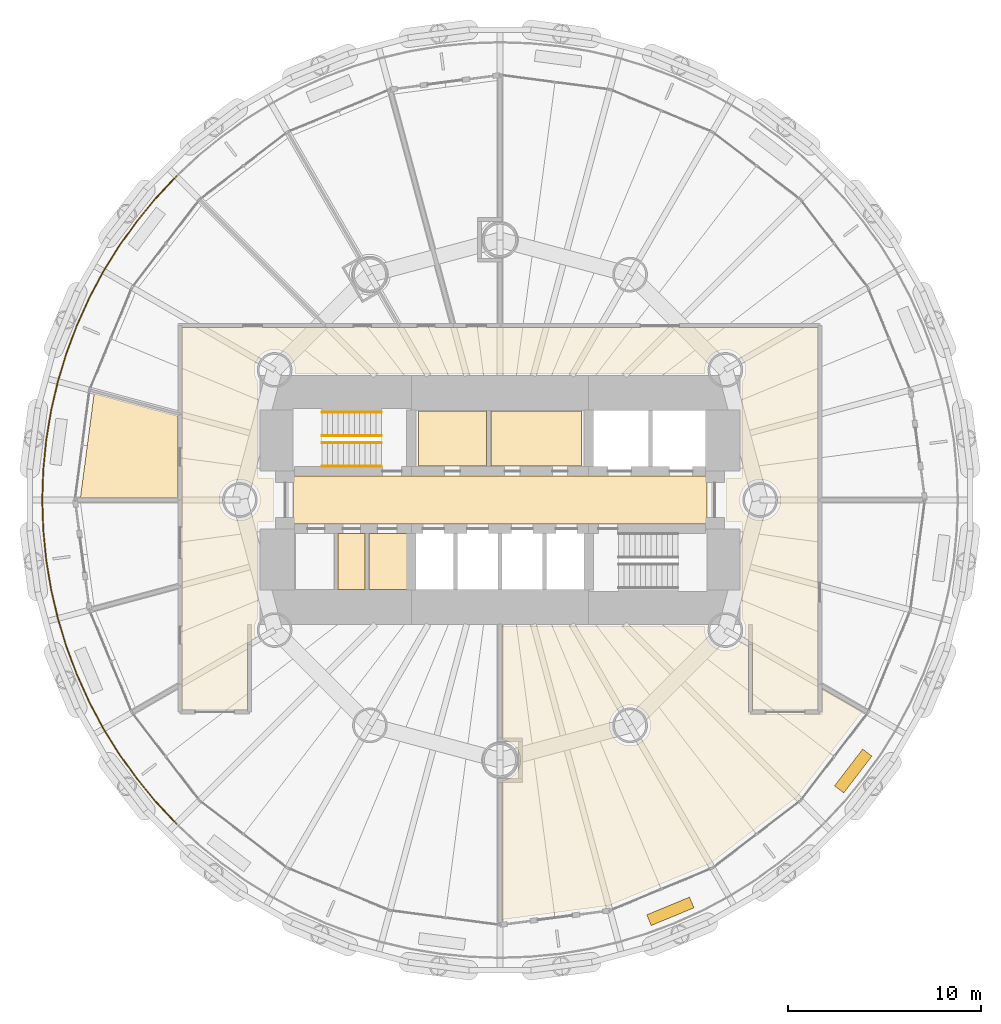
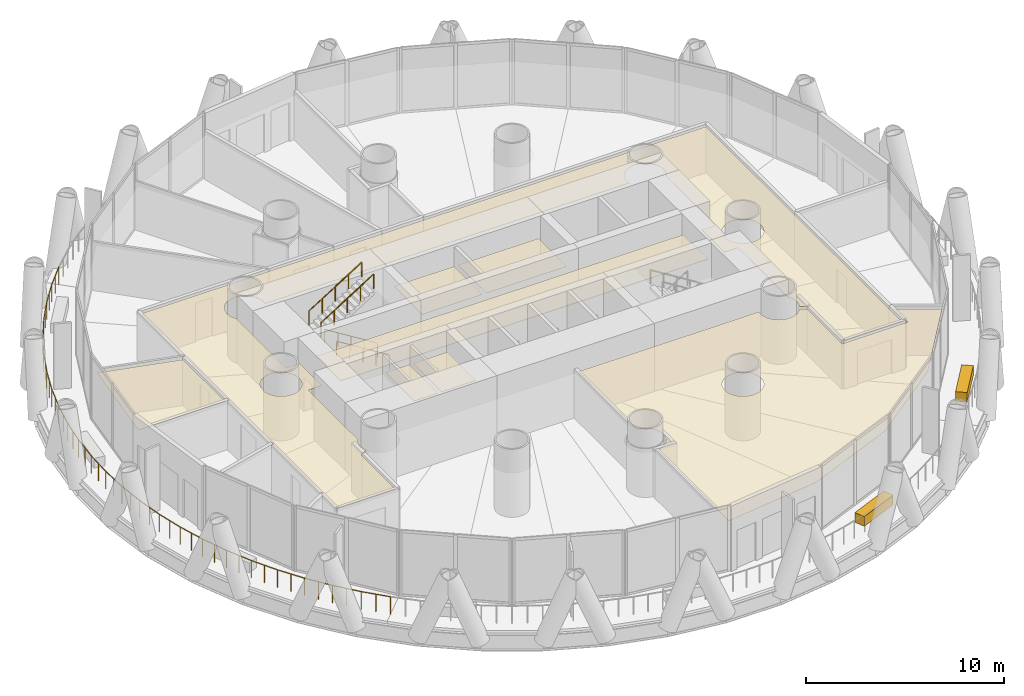
# One storey, part 14 of 16: 10 coverings, 5 railings.
"""IFC4 building model written with IfcOpenShell, lengths in metres."""

from ifc_helpers import new_model, si_unit, direction, frame, origin, origin_2d, place, context, subcontext, project, spatial, polyline, rectangle, circle, outline, extrude, material, layer, layer_set, type_object, element, save


model = new_model("IFC4")

# Units and contexts
model_context = context("Model", 3, precision=1e-05, world=origin(), true_north=direction((0.0, 1.0)))
body_context = subcontext(model_context, "Body", "Model", "MODEL_VIEW")
ifc_project = project(units=[si_unit("LENGTHUNIT", "METRE"), si_unit("AREAUNIT", "SQUARE_METRE"), si_unit("VOLUMEUNIT", "CUBIC_METRE"), si_unit("PLANEANGLEUNIT", "RADIAN"), si_unit("MASSUNIT", "GRAM", prefix="KILO")], contexts=[model_context])

# Site, building, storey
site_placement = place(None, origin())
site = spatial("IfcSite", under=ifc_project, at=site_placement, CompositionType="ELEMENT")
building_placement = place(site_placement, origin())
building = spatial("IfcBuilding", under=site, at=building_placement, Name="Qaws Media Tower", CompositionType="ELEMENT")
storey_placement = place(building_placement, frame((0.0, 0.0, 181.39990234375)))
storey = spatial("IfcBuildingStorey", under=building, at=storey_placement, Name="L41", CompositionType="ELEMENT", Elevation=181.39990234375)

# Railing
ifc_material_1 = material(Name="Stainless steel and glass guard", Category="steel")
railing_type_1 = type_object("IfcRailingType", Name="Balcony guard 1100", PredefinedType="GUARDRAIL", material=ifc_material_1)
railing_placement = place(storey_placement, frame((43.206298828125, 66.793701171875, 0.0)))
element("IfcRailing", 1, at=railing_placement, inside=storey, type_object=railing_type_1, Name="GR1 balcony guard L41-2", PredefinedType="GUARDRAIL", context=body_context, shape_type="SweptSolid", body=[
    extrude(circle(Radius=0.02392578125, at=origin_2d()), frame((0.0, 0.0, 1.076171875), z_axis=(-0.683638001777, -0.729821267522, 0.0), x_axis=(0.729821267522, -0.683638001777, 0.0)), (0.0, 0.0, 1.0), 1.55419921875),
    extrude(circle(Radius=0.02392578125, at=origin_2d()), frame((-1.0625, -1.13427734375, 1.076171875), z_axis=(-0.634340684529, -0.773053617773, 0.0), x_axis=(0.773053617773, -0.634340684529, 0.0)), (0.0, 0.0, 1.0), 1.55419921875),
    extrude(circle(Radius=0.02392578125, at=origin_2d()), frame((-2.04833984375, -2.335693359375, 1.076171875), z_axis=(-0.582515481773, -0.812819606983, 0.0), x_axis=(0.812819606983, -0.582515481773, 0.0)), (0.0, 0.0, 1.0), 1.553955078125),
    extrude(circle(Radius=0.02392578125, at=origin_2d()), frame((-2.95361328125, -3.598876953125, 1.076171875), z_axis=(-0.528105591598, -0.849178711534, 0.0), x_axis=(0.849178711534, -0.528105591598, 0.0)), (0.0, 0.0, 1.0), 1.55419921875),
    extrude(circle(Radius=0.02392578125, at=origin_2d()), frame((-3.7744140625, -4.918701171875, 1.076171875), z_axis=(-0.471427829863, -0.881904644069, 0.0), x_axis=(0.881904644069, -0.471427829863, 0.0)), (0.0, 0.0, 1.0), 1.55419921875),
    extrude(circle(Radius=0.02392578125, at=origin_2d()), frame((-4.507080078125, -6.289306640625, 1.076171875), z_axis=(-0.412642816459, -0.910892916881, 0.0), x_axis=(0.910892916881, -0.412642816459, 0.0)), (0.0, 0.0, 1.0), 1.55419921875),
    extrude(circle(Radius=0.02392578125, at=origin_2d()), frame((-5.1484375, -7.705078125, 1.076171875), z_axis=(-0.352242335956, -0.935908829299, 0.0), x_axis=(0.935908829299, -0.352242335956, 0.0)), (0.0, 0.0, 1.0), 1.553955078125),
    extrude(circle(Radius=0.02392578125, at=origin_2d()), frame((-5.69580078125, -9.159423828125, 1.076171875), z_axis=(-0.290286403891, -0.956939811961, 0.0), x_axis=(0.956939811961, -0.290286403891, 0.0)), (0.0, 0.0, 1.0), 1.55419921875),
    extrude(circle(Radius=0.02392578125, at=origin_2d()), frame((-6.14697265625, -10.646728515625, 1.076171875), z_axis=(-0.227130304689, -0.97386437695, 0.0), x_axis=(0.97386437695, -0.227130304689, 0.0)), (0.0, 0.0, 1.0), 1.55419921875),
    extrude(circle(Radius=0.02392578125, at=origin_2d()), frame((-6.5, -12.160400390625, 1.076171875), z_axis=(-0.162921137125, -0.986639094643, 0.0), x_axis=(0.986639094643, -0.162921137125, 0.0)), (0.0, 0.0, 1.0), 1.553955078125),
    extrude(circle(Radius=0.02392578125, at=origin_2d()), frame((-6.753173828125, -13.693603515625, 1.076171875), z_axis=(-0.098010679686, -0.995185362969, 0.0), x_axis=(0.995185362969, -0.098010679686, 0.0)), (0.0, 0.0, 1.0), 1.554443359375),
    extrude(circle(Radius=0.02392578125, at=origin_2d()), frame((-6.905517578125, -15.240478515625, 1.076171875), z_axis=(-0.032676661877, -0.999465975293, 0.0), x_axis=(0.999465975293, -0.032676661877, 0.0)), (0.0, 0.0, 1.0), 1.553955078125),
    extrude(circle(Radius=0.02392578125, at=origin_2d()), frame((-6.956298828125, -16.793701171875, 1.076171875), z_axis=(0.032676661877, -0.999465975293, 0.0), x_axis=(0.999465975293, 0.032676661877, 0.0)), (0.0, 0.0, 1.0), 1.553955078125),
    extrude(circle(Radius=0.02392578125, at=origin_2d()), frame((-6.905517578125, -18.346923828125, 1.076171875), z_axis=(0.098010679686, -0.995185362969, 0.0), x_axis=(0.995185362969, 0.098010679686, 0.0)), (0.0, 0.0, 1.0), 1.554443359375),
    extrude(circle(Radius=0.02392578125, at=origin_2d()), frame((-6.753173828125, -19.893798828125, 1.076171875), z_axis=(0.162921137125, -0.986639094643, 0.0), x_axis=(0.986639094643, 0.162921137125, 0.0)), (0.0, 0.0, 1.0), 1.553955078125),
    extrude(circle(Radius=0.02392578125, at=origin_2d()), frame((-6.5, -21.427001953125, 1.076171875), z_axis=(0.227130304689, -0.97386437695, 0.0), x_axis=(0.97386437695, 0.227130304689, 0.0)), (0.0, 0.0, 1.0), 1.55419921875),
    extrude(circle(Radius=0.02392578125, at=origin_2d()), frame((-6.14697265625, -22.940673828125, 1.076171875), z_axis=(0.290286403891, -0.956939811961, 0.0), x_axis=(0.956939811961, 0.290286403891, 0.0)), (0.0, 0.0, 1.0), 1.55419921875),
    extrude(circle(Radius=0.02392578125, at=origin_2d()), frame((-5.69580078125, -24.427978515625, 1.076171875), z_axis=(0.352242335956, -0.935908829299, 0.0), x_axis=(0.935908829299, 0.352242335956, 0.0)), (0.0, 0.0, 1.0), 1.553955078125),
    extrude(circle(Radius=0.02392578125, at=origin_2d()), frame((-5.1484375, -25.88232421875, 1.076171875), z_axis=(0.412642816459, -0.910892916881, 0.0), x_axis=(0.910892916881, 0.412642816459, 0.0)), (0.0, 0.0, 1.0), 1.55419921875),
    extrude(circle(Radius=0.02392578125, at=origin_2d()), frame((-4.507080078125, -27.298095703125, 1.076171875), z_axis=(0.471427829863, -0.881904644069, 0.0), x_axis=(0.881904644069, 0.471427829863, 0.0)), (0.0, 0.0, 1.0), 1.55419921875),
    extrude(circle(Radius=0.02392578125, at=origin_2d()), frame((-3.7744140625, -28.668701171875, 1.076171875), z_axis=(0.528105591598, -0.849178711534, 0.0), x_axis=(0.849178711534, 0.528105591598, 0.0)), (0.0, 0.0, 1.0), 1.55419921875),
    extrude(circle(Radius=0.02392578125, at=origin_2d()), frame((-2.95361328125, -29.988525390625, 1.076171875), z_axis=(0.582515481773, -0.812819606983, 0.0), x_axis=(0.812819606983, 0.582515481773, 0.0)), (0.0, 0.0, 1.0), 1.553955078125),
    extrude(circle(Radius=0.02392578125, at=origin_2d()), frame((-2.04833984375, -31.251708984375, 1.076171875), z_axis=(0.634340684529, -0.773053617773, 0.0), x_axis=(0.773053617773, 0.634340684529, 0.0)), (0.0, 0.0, 1.0), 1.55419921875),
    extrude(circle(Radius=0.02392578125, at=origin_2d()), frame((-1.0625, -32.453125, 1.076171875), z_axis=(0.683638001777, -0.729821267522, 0.0), x_axis=(0.729821267522, 0.683638001777, 0.0)), (0.0, 0.0, 1.0), 1.55419921875),
    extrude(circle(Radius=0.02099609375, at=origin_2d()), origin(), (0.0, 0.0, 1.0), 1.052001953125),
    extrude(circle(Radius=0.02099609375, at=origin_2d()), frame((-0.53125, -0.567138671875, 0.0)), (0.0, 0.0, 1.0), 1.052001953125),
    extrude(circle(Radius=0.02099609375, at=origin_2d()), frame((-1.0625, -1.13427734375, 0.0)), (0.0, 0.0, 1.0), 1.052001953125),
    extrude(circle(Radius=0.02099609375, at=origin_2d()), frame((-1.555419921875, -1.73486328125, 0.0)), (0.0, 0.0, 1.0), 1.052001953125),
    extrude(circle(Radius=0.02099609375, at=origin_2d()), frame((-2.04833984375, -2.335693359375, 0.0)), (0.0, 0.0, 1.0), 1.052001953125),
    extrude(circle(Radius=0.02099609375, at=origin_2d()), frame((-2.5009765625, -2.96728515625, 0.0)), (0.0, 0.0, 1.0), 1.052001953125),
    extrude(circle(Radius=0.02099609375, at=origin_2d()), frame((-2.95361328125, -3.598876953125, 0.0)), (0.0, 0.0, 1.0), 1.052001953125),
    extrude(circle(Radius=0.02099609375, at=origin_2d()), frame((-3.364013671875, -4.2587890625, 0.0)), (0.0, 0.0, 1.0), 1.052001953125),
    extrude(circle(Radius=0.02099609375, at=origin_2d()), frame((-3.7744140625, -4.918701171875, 0.0)), (0.0, 0.0, 1.0), 1.052001953125),
    extrude(circle(Radius=0.02099609375, at=origin_2d()), frame((-4.140625, -5.60400390625, 0.0)), (0.0, 0.0, 1.0), 1.052001953125),
    extrude(circle(Radius=0.02099609375, at=origin_2d()), frame((-4.507080078125, -6.289306640625, 0.0)), (0.0, 0.0, 1.0), 1.052001953125),
    extrude(circle(Radius=0.02099609375, at=origin_2d()), frame((-4.82763671875, -6.9970703125, 0.0)), (0.0, 0.0, 1.0), 1.052001953125),
    extrude(circle(Radius=0.02099609375, at=origin_2d()), frame((-5.1484375, -7.705078125, 0.0)), (0.0, 0.0, 1.0), 1.052001953125),
    extrude(circle(Radius=0.02099609375, at=origin_2d()), frame((-5.422119140625, -8.43212890625, 0.0)), (0.0, 0.0, 1.0), 1.052001953125),
    extrude(circle(Radius=0.02099609375, at=origin_2d()), frame((-5.69580078125, -9.159423828125, 0.0)), (0.0, 0.0, 1.0), 1.052001953125),
    extrude(circle(Radius=0.02099609375, at=origin_2d()), frame((-5.92138671875, -9.903076171875, 0.0)), (0.0, 0.0, 1.0), 1.052001953125),
    extrude(circle(Radius=0.02099609375, at=origin_2d()), frame((-6.14697265625, -10.646728515625, 0.0)), (0.0, 0.0, 1.0), 1.052001953125),
    extrude(circle(Radius=0.02099609375, at=origin_2d()), frame((-6.323486328125, -11.403564453125, 0.0)), (0.0, 0.0, 1.0), 1.052001953125),
    extrude(circle(Radius=0.02099609375, at=origin_2d()), frame((-6.5, -12.160400390625, 0.0)), (0.0, 0.0, 1.0), 1.052001953125),
    extrude(circle(Radius=0.02099609375, at=origin_2d()), frame((-6.62646484375, -12.927001953125, 0.0)), (0.0, 0.0, 1.0), 1.052001953125),
    extrude(circle(Radius=0.02099609375, at=origin_2d()), frame((-6.753173828125, -13.693603515625, 0.0)), (0.0, 0.0, 1.0), 1.052001953125),
    extrude(circle(Radius=0.02099609375, at=origin_2d()), frame((-6.829345703125, -14.467041015625, 0.0)), (0.0, 0.0, 1.0), 1.052001953125),
    extrude(circle(Radius=0.02099609375, at=origin_2d()), frame((-6.905517578125, -15.240478515625, 0.0)), (0.0, 0.0, 1.0), 1.052001953125),
    extrude(circle(Radius=0.02099609375, at=origin_2d()), frame((-6.930908203125, -16.01708984375, 0.0)), (0.0, 0.0, 1.0), 1.052001953125),
    extrude(circle(Radius=0.02099609375, at=origin_2d()), frame((-6.956298828125, -16.793701171875, 0.0)), (0.0, 0.0, 1.0), 1.052001953125),
    extrude(circle(Radius=0.02099609375, at=origin_2d()), frame((-6.930908203125, -17.5703125, 0.0)), (0.0, 0.0, 1.0), 1.052001953125),
    extrude(circle(Radius=0.02099609375, at=origin_2d()), frame((-6.905517578125, -18.346923828125, 0.0)), (0.0, 0.0, 1.0), 1.052001953125),
    extrude(circle(Radius=0.02099609375, at=origin_2d()), frame((-6.829345703125, -19.120361328125, 0.0)), (0.0, 0.0, 1.0), 1.052001953125),
    extrude(circle(Radius=0.02099609375, at=origin_2d()), frame((-6.753173828125, -19.893798828125, 0.0)), (0.0, 0.0, 1.0), 1.052001953125),
    extrude(circle(Radius=0.02099609375, at=origin_2d()), frame((-6.62646484375, -20.660400390625, 0.0)), (0.0, 0.0, 1.0), 1.052001953125),
    extrude(circle(Radius=0.02099609375, at=origin_2d()), frame((-6.5, -21.427001953125, 0.0)), (0.0, 0.0, 1.0), 1.052001953125),
    extrude(circle(Radius=0.02099609375, at=origin_2d()), frame((-6.323486328125, -22.183837890625, 0.0)), (0.0, 0.0, 1.0), 1.052001953125),
    extrude(circle(Radius=0.02099609375, at=origin_2d()), frame((-6.14697265625, -22.940673828125, 0.0)), (0.0, 0.0, 1.0), 1.052001953125),
    extrude(circle(Radius=0.02099609375, at=origin_2d()), frame((-5.92138671875, -23.684326171875, 0.0)), (0.0, 0.0, 1.0), 1.052001953125),
    extrude(circle(Radius=0.02099609375, at=origin_2d()), frame((-5.69580078125, -24.427978515625, 0.0)), (0.0, 0.0, 1.0), 1.052001953125),
    extrude(circle(Radius=0.02099609375, at=origin_2d()), frame((-5.422119140625, -25.1552734375, 0.0)), (0.0, 0.0, 1.0), 1.052001953125),
    extrude(circle(Radius=0.02099609375, at=origin_2d()), frame((-5.1484375, -25.88232421875, 0.0)), (0.0, 0.0, 1.0), 1.052001953125),
    extrude(circle(Radius=0.02099609375, at=origin_2d()), frame((-4.82763671875, -26.59033203125, 0.0)), (0.0, 0.0, 1.0), 1.052001953125),
    extrude(circle(Radius=0.02099609375, at=origin_2d()), frame((-4.507080078125, -27.298095703125, 0.0)), (0.0, 0.0, 1.0), 1.052001953125),
    extrude(circle(Radius=0.02099609375, at=origin_2d()), frame((-4.140625, -27.9833984375, 0.0)), (0.0, 0.0, 1.0), 1.052001953125),
    extrude(circle(Radius=0.02099609375, at=origin_2d()), frame((-3.7744140625, -28.668701171875, 0.0)), (0.0, 0.0, 1.0), 1.052001953125),
    extrude(circle(Radius=0.02099609375, at=origin_2d()), frame((-3.364013671875, -29.32861328125, 0.0)), (0.0, 0.0, 1.0), 1.052001953125),
    extrude(circle(Radius=0.02099609375, at=origin_2d()), frame((-2.95361328125, -29.988525390625, 0.0)), (0.0, 0.0, 1.0), 1.052001953125),
    extrude(circle(Radius=0.02099609375, at=origin_2d()), frame((-2.5009765625, -30.6201171875, 0.0)), (0.0, 0.0, 1.0), 1.052001953125),
    extrude(circle(Radius=0.02099609375, at=origin_2d()), frame((-2.04833984375, -31.251708984375, 0.0)), (0.0, 0.0, 1.0), 1.052001953125),
    extrude(circle(Radius=0.02099609375, at=origin_2d()), frame((-1.555419921875, -31.8525390625, 0.0)), (0.0, 0.0, 1.0), 1.052001953125),
    extrude(circle(Radius=0.02099609375, at=origin_2d()), frame((-1.0625, -32.453125, 0.0)), (0.0, 0.0, 1.0), 1.052001953125),
    extrude(circle(Radius=0.02099609375, at=origin_2d()), frame((-0.53125, -33.020263671875, 0.0)), (0.0, 0.0, 1.0), 1.052001953125),
    extrude(circle(Radius=0.02099609375, at=origin_2d()), frame((0.0, -33.58740234375, 0.0)), (0.0, 0.0, 1.0), 1.052001953125),
])

# Coverings
ifc_material_2 = material(Name="600 x 600 mineral fibre tiles in exposed grid, suspended", Category="mineral fibre")
ifc_layer_1 = layer(ifc_material_2, 0.02001953125)
ifc_layer_set_1 = layer_set([ifc_layer_1], Name="Mineral fibre tile ceiling 20")
covering_type_1 = type_object("IfcCoveringType", Name="Mineral fibre tile ceiling 20", PredefinedType="CEILING", material=ifc_layer_set_1)
covering_1_placement = place(storey_placement, frame((0.0, 0.0, 2.85009765625)))
element("IfcCovering", 2, at=covering_1_placement, inside=storey, type_object=covering_type_1, Name="CL1 ceiling L41-C07 Gents toilets", PredefinedType="CEILING", context=body_context, shape_type="SweptSolid", body=[
    extrude(outline(polyline([(55.77001953125, 51.77001953125), (55.77001953125, 54.6298828125), (59.286865234375, 54.6298828125), (59.286865234375, 51.77001953125), (55.77001953125, 51.77001953125)])), origin(), (0.0, 0.0, 1.0), 0.02001953125),
])
covering_2_placement = place(storey_placement, frame((0.0, 0.0, 2.85009765625)))
element("IfcCovering", 3, at=covering_2_placement, inside=storey, type_object=covering_type_1, Name="CL1 ceiling L41-C08 Ladies toilets", PredefinedType="CEILING", context=body_context, shape_type="SweptSolid", body=[
    extrude(outline(polyline([(59.52685546875, 51.77001953125), (59.52685546875, 54.6298828125), (64.22998046875, 54.6298828125), (64.22998046875, 51.77001953125), (59.52685546875, 51.77001953125)])), origin(), (0.0, 0.0, 1.0), 0.02001953125),
])
covering_3_placement = place(storey_placement, frame((0.0, 0.0, 2.85009765625)))
element("IfcCovering", 4, at=covering_3_placement, inside=storey, type_object=covering_type_1, Name="CL1 ceiling L41-01 Corridor", PredefinedType="CEILING", context=body_context, shape_type="SweptSolid", body=[
    extrude(outline(polyline([(43.512451171875, 39.112548828125), (43.512451171875, 58.9375), (76.487548828125, 58.9375), (76.487548828125, 39.112548828125), (73.112548828125, 39.112548828125), (73.112548828125, 42.559326171875), (72.6591796875, 42.821044921875), (72.670654296875, 42.844482421875), (72.715087890625, 42.9755859375), (72.7421875, 43.111572265625), (72.751220703125, 43.25), (72.7421875, 43.388427734375), (72.715087890625, 43.5244140625), (72.670654296875, 43.655517578125), (72.609375, 43.780029296875), (72.5625, 43.85009765625), (72.5625, 48.862548828125), (71.762451171875, 48.862548828125), (71.762451171875, 51.137451171875), (72.5625, 51.137451171875), (72.5625, 56.14990234375), (72.609375, 56.219970703125), (72.670654296875, 56.344482421875), (72.715087890625, 56.4755859375), (72.7421875, 56.611572265625), (72.751220703125, 56.75), (72.7421875, 56.888427734375), (72.715087890625, 57.0244140625), (72.670654296875, 57.155517578125), (72.609375, 57.280029296875), (72.5322265625, 57.395263671875), (72.44091796875, 57.49951171875), (72.336669921875, 57.591064453125), (72.22119140625, 57.66796875), (72.096923828125, 57.729248046875), (71.9658203125, 57.77392578125), (71.82958984375, 57.80078125), (71.69140625, 57.81005859375), (71.552978515625, 57.80078125), (71.4169921875, 57.77392578125), (71.28564453125, 57.729248046875), (71.161376953125, 57.66796875), (71.046142578125, 57.591064453125), (70.94189453125, 57.49951171875), (70.850341796875, 57.395263671875), (70.7734375, 57.280029296875), (70.7119140625, 57.155517578125), (70.66748046875, 57.0244140625), (70.640380859375, 56.888427734375), (70.63134765625, 56.75), (70.640380859375, 56.611572265625), (70.650146484375, 56.5625), (49.349853515625, 56.5625), (49.359619140625, 56.611572265625), (49.36865234375, 56.75), (49.359619140625, 56.888427734375), (49.33251953125, 57.0244140625), (49.2880859375, 57.155517578125), (49.2265625, 57.280029296875), (49.149658203125, 57.395263671875), (49.05810546875, 57.49951171875), (48.953857421875, 57.591064453125), (48.838623046875, 57.66796875), (48.71435546875, 57.729248046875), (48.5830078125, 57.77392578125), (48.447021484375, 57.80078125), (48.30859375, 57.81005859375), (48.17041015625, 57.80078125), (48.0341796875, 57.77392578125), (47.903076171875, 57.729248046875), (47.77880859375, 57.66796875), (47.663330078125, 57.591064453125), (47.55908203125, 57.49951171875), (47.4677734375, 57.395263671875), (47.390625, 57.280029296875), (47.329345703125, 57.155517578125), (47.284912109375, 57.0244140625), (47.2578125, 56.888427734375), (47.248779296875, 56.75), (47.2578125, 56.611572265625), (47.284912109375, 56.4755859375), (47.329345703125, 56.344482421875), (47.390625, 56.219970703125), (47.4375, 56.14990234375), (47.4375, 51.137451171875), (48.237548828125, 51.137451171875), (48.237548828125, 48.862548828125), (47.4375, 48.862548828125), (47.4375, 43.85009765625), (47.390625, 43.780029296875), (47.329345703125, 43.655517578125), (47.284912109375, 43.5244140625), (47.2578125, 43.388427734375), (47.248779296875, 43.25), (47.2578125, 43.111572265625), (47.284912109375, 42.9755859375), (47.329345703125, 42.844482421875), (47.3408203125, 42.821044921875), (46.887451171875, 42.559326171875), (46.887451171875, 39.112548828125), (43.512451171875, 39.112548828125)]), holes=[polyline([(47.479248046875, 49.594482421875), (47.52392578125, 49.7255859375), (47.55078125, 49.861572265625), (47.56005859375, 50.0), (47.55078125, 50.138427734375), (47.52392578125, 50.2744140625), (47.479248046875, 50.405517578125), (47.41796875, 50.530029296875), (47.341064453125, 50.645263671875), (47.24951171875, 50.74951171875), (47.145263671875, 50.841064453125), (47.030029296875, 50.91796875), (46.905517578125, 50.979248046875), (46.7744140625, 51.02392578125), (46.638427734375, 51.05078125), (46.5, 51.06005859375), (46.361572265625, 51.05078125), (46.2255859375, 51.02392578125), (46.094482421875, 50.979248046875), (45.969970703125, 50.91796875), (45.854736328125, 50.841064453125), (45.75048828125, 50.74951171875), (45.658935546875, 50.645263671875), (45.58203125, 50.530029296875), (45.520751953125, 50.405517578125), (45.47607421875, 50.2744140625), (45.44921875, 50.138427734375), (45.43994140625, 50.0), (45.44921875, 49.861572265625), (45.47607421875, 49.7255859375), (45.520751953125, 49.594482421875), (45.58203125, 49.469970703125), (45.658935546875, 49.354736328125), (45.75048828125, 49.25048828125), (45.854736328125, 49.158935546875), (45.969970703125, 49.08203125), (46.094482421875, 49.020751953125), (46.2255859375, 48.97607421875), (46.361572265625, 48.94921875), (46.5, 48.93994140625), (46.638427734375, 48.94921875), (46.7744140625, 48.97607421875), (46.905517578125, 49.020751953125), (47.030029296875, 49.08203125), (47.145263671875, 49.158935546875), (47.24951171875, 49.25048828125), (47.341064453125, 49.354736328125), (47.41796875, 49.469970703125), (47.479248046875, 49.594482421875)]), polyline([(74.52392578125, 49.7255859375), (74.55078125, 49.861572265625), (74.56005859375, 50.0), (74.55078125, 50.138427734375), (74.52392578125, 50.2744140625), (74.479248046875, 50.405517578125), (74.41796875, 50.530029296875), (74.341064453125, 50.645263671875), (74.24951171875, 50.74951171875), (74.145263671875, 50.841064453125), (74.030029296875, 50.91796875), (73.905517578125, 50.979248046875), (73.7744140625, 51.02392578125), (73.638427734375, 51.05078125), (73.5, 51.06005859375), (73.361572265625, 51.05078125), (73.2255859375, 51.02392578125), (73.094482421875, 50.979248046875), (72.969970703125, 50.91796875), (72.854736328125, 50.841064453125), (72.75048828125, 50.74951171875), (72.658935546875, 50.645263671875), (72.58203125, 50.530029296875), (72.520751953125, 50.405517578125), (72.47607421875, 50.2744140625), (72.44921875, 50.138427734375), (72.43994140625, 50.0), (72.44921875, 49.861572265625), (72.47607421875, 49.7255859375), (72.520751953125, 49.594482421875), (72.58203125, 49.469970703125), (72.658935546875, 49.354736328125), (72.75048828125, 49.25048828125), (72.854736328125, 49.158935546875), (72.969970703125, 49.08203125), (73.094482421875, 49.020751953125), (73.2255859375, 48.97607421875), (73.361572265625, 48.94921875), (73.5, 48.93994140625), (73.638427734375, 48.94921875), (73.7744140625, 48.97607421875), (73.905517578125, 49.020751953125), (74.030029296875, 49.08203125), (74.145263671875, 49.158935546875), (74.24951171875, 49.25048828125), (74.341064453125, 49.354736328125), (74.41796875, 49.469970703125), (74.479248046875, 49.594482421875), (74.52392578125, 49.7255859375)])]), origin(), (0.0, 0.0, 1.0), 0.02001953125),
])
covering_4_placement = place(storey_placement, frame((0.0, 0.0, 2.85009765625)))
element("IfcCovering", 5, at=covering_4_placement, inside=storey, type_object=covering_type_1, Name="CL1 ceiling L41-07 Office", PredefinedType="CEILING", context=body_context, shape_type="SweptSolid", body=[
    extrude(outline(polyline([(38.9423828125, 55.52587890625), (43.28759765625, 54.361572265625), (43.28759765625, 50.112548828125), (38.2294921875, 50.112548828125), (38.9423828125, 55.52587890625)])), origin(), (0.0, 0.0, 1.0), 0.02001953125),
])
covering_5_placement = place(storey_placement, frame((0.0, 0.0, 2.85009765625)))
element("IfcCovering", 6, at=covering_5_placement, inside=storey, type_object=covering_type_1, Name="CL1 ceiling L41-11 Communications office", PredefinedType="CEILING", context=body_context, shape_type="SweptSolid", body=[
    extrude(outline(polyline([(72.887451171875, 38.887451171875), (76.71240234375, 38.887451171875), (76.71240234375, 40.22119140625), (78.797607421875, 39.017333984375), (75.404541015625, 34.595458984375), (70.892578125, 31.13330078125), (65.638427734375, 28.95703125), (60.112548828125, 28.2294921875), (60.112548828125, 35.447509765625), (60.138427734375, 35.44921875), (60.2744140625, 35.47607421875), (60.405517578125, 35.520751953125), (60.530029296875, 35.58203125), (60.645263671875, 35.658935546875), (60.74951171875, 35.75048828125), (60.841064453125, 35.854736328125), (60.91796875, 35.969970703125), (60.979248046875, 36.094482421875), (61.02392578125, 36.2255859375), (61.05078125, 36.361572265625), (61.06005859375, 36.5), (61.05078125, 36.638427734375), (61.02392578125, 36.7744140625), (60.979248046875, 36.905517578125), (60.91796875, 37.030029296875), (60.841064453125, 37.145263671875), (60.74951171875, 37.24951171875), (60.645263671875, 37.341064453125), (60.530029296875, 37.41796875), (60.405517578125, 37.479248046875), (60.2744140625, 37.52392578125), (60.138427734375, 37.55078125), (60.112548828125, 37.552490234375), (60.112548828125, 43.4375), (70.650146484375, 43.4375), (70.640380859375, 43.388427734375), (70.63134765625, 43.25), (70.640380859375, 43.111572265625), (70.66748046875, 42.9755859375), (70.7119140625, 42.844482421875), (70.7734375, 42.719970703125), (70.850341796875, 42.604736328125), (70.94189453125, 42.50048828125), (71.046142578125, 42.408935546875), (71.161376953125, 42.33203125), (71.28564453125, 42.270751953125), (71.4169921875, 42.22607421875), (71.552978515625, 42.19921875), (71.69140625, 42.18994140625), (71.82958984375, 42.19921875), (71.9658203125, 42.22607421875), (72.096923828125, 42.270751953125), (72.22119140625, 42.33203125), (72.336669921875, 42.408935546875), (72.44091796875, 42.50048828125), (72.5322265625, 42.604736328125), (72.546630859375, 42.626220703125), (72.887451171875, 42.429443359375), (72.887451171875, 38.887451171875)]), holes=[polyline([(67.729248046875, 37.903076171875), (67.77392578125, 38.0341796875), (67.80078125, 38.17041015625), (67.81005859375, 38.30859375), (67.80078125, 38.447021484375), (67.77392578125, 38.5830078125), (67.729248046875, 38.71435546875), (67.66796875, 38.838623046875), (67.591064453125, 38.953857421875), (67.49951171875, 39.05810546875), (67.395263671875, 39.149658203125), (67.280029296875, 39.2265625), (67.155517578125, 39.2880859375), (67.0244140625, 39.33251953125), (66.888427734375, 39.359619140625), (66.75, 39.36865234375), (66.611572265625, 39.359619140625), (66.4755859375, 39.33251953125), (66.344482421875, 39.2880859375), (66.219970703125, 39.2265625), (66.104736328125, 39.149658203125), (66.00048828125, 39.05810546875), (65.908935546875, 38.953857421875), (65.83203125, 38.838623046875), (65.770751953125, 38.71435546875), (65.72607421875, 38.5830078125), (65.69921875, 38.447021484375), (65.68994140625, 38.30859375), (65.69921875, 38.17041015625), (65.72607421875, 38.0341796875), (65.770751953125, 37.903076171875), (65.83203125, 37.77880859375), (65.908935546875, 37.663330078125), (66.00048828125, 37.55908203125), (66.104736328125, 37.4677734375), (66.219970703125, 37.390625), (66.344482421875, 37.329345703125), (66.4755859375, 37.284912109375), (66.611572265625, 37.2578125), (66.75, 37.248779296875), (66.888427734375, 37.2578125), (67.0244140625, 37.284912109375), (67.155517578125, 37.329345703125), (67.280029296875, 37.390625), (67.395263671875, 37.4677734375), (67.49951171875, 37.55908203125), (67.591064453125, 37.663330078125), (67.66796875, 37.77880859375), (67.729248046875, 37.903076171875)])]), origin(), (0.0, 0.0, 1.0), 0.02001953125),
])
covering_6_placement = place(storey_placement, frame((0.0, 0.0, 2.85009765625)))
element("IfcCovering", 7, at=covering_6_placement, inside=storey, type_object=covering_type_1, Name="CL1 ceiling L41-C05 First aid room", PredefinedType="CEILING", context=body_context, shape_type="SweptSolid", body=[
    extrude(outline(polyline([(51.60009765625, 45.35009765625), (51.60009765625, 48.25), (53.0, 48.25), (53.0, 45.35009765625), (51.60009765625, 45.35009765625)])), origin(), (0.0, 0.0, 1.0), 0.02001953125),
])
ifc_material_3 = material(Name="Precast concrete planter with trailing planting", Category="concrete")
ifc_layer_2 = layer(ifc_material_3, 0.60009765625)
ifc_layer_set_2 = layer_set([ifc_layer_2], Name="Planter 2400x600")
covering_type_2 = type_object("IfcCoveringType", Name="Planter 2400x600", PredefinedType="USERDEFINED", material=ifc_layer_set_2)
for number, where, z_axis, x_axis, name in (
    (8, (68.840087890625, 28.658447265625, 0.0), (0.0, 0.0, 1.0), (0.923879532511, 0.382683432365, 0.0), "PL1 balcony planter L41-10"),
    (9, (78.326416015625, 35.9375, 0.0), (0.0, 0.0, 1.0), (0.608761429009, 0.793353340291, 0.0), "PL1 balcony planter L41-11"),
):
    element("IfcCovering", number, at=place(storey_placement, frame(where, z_axis=z_axis, x_axis=x_axis)), inside=storey, type_object=covering_type_2, Name=name, ObjectType="PLANTER", PredefinedType="USERDEFINED", context=body_context, shape_type="SweptSolid", body=[
        extrude(rectangle(XDim=2.39990234375, YDim=0.60009765625, at=origin_2d()), origin(), (0.0, 0.0, 1.0), 0.60009765625),
    ])
ifc_material_4 = material(Name="Two layers 12.5 moisture-resistant plasterboard on suspended metal furring", Category="gypsum")
ifc_layer_3 = layer(ifc_material_4, 0.02490234375)
ifc_layer_set_3 = layer_set([ifc_layer_3], Name="Plasterboard ceiling 25")
covering_type_3 = type_object("IfcCoveringType", Name="Plasterboard ceiling 25", PredefinedType="CEILING", material=ifc_layer_set_3)
covering_7_placement = place(storey_placement, frame((0.0, 0.0, 2.85009765625)))
element("IfcCovering", 10, at=covering_7_placement, inside=storey, type_object=covering_type_3, Name="CL2 ceiling L41-C01 Lift lobby", PredefinedType="CEILING", context=body_context, shape_type="SweptSolid", body=[
    extrude(outline(polyline([(49.25, 48.75), (49.25, 51.25), (70.75, 51.25), (70.75, 48.75), (49.25, 48.75)])), origin(), (0.0, 0.0, 1.0), 0.02490234375),
])
covering_8_placement = place(storey_placement, frame((0.0, 0.0, 2.85009765625)))
element("IfcCovering", 11, at=covering_8_placement, inside=storey, type_object=covering_type_3, Name="CL2 ceiling L41-C06 Accessible WC", PredefinedType="CEILING", context=body_context, shape_type="SweptSolid", body=[
    extrude(outline(polyline([(53.199951171875, 45.35009765625), (53.199951171875, 48.25), (55.199951171875, 48.25), (55.199951171875, 45.35009765625), (53.199951171875, 45.35009765625)])), origin(), (0.0, 0.0, 1.0), 0.02490234375),
])

# Railings
ifc_material_5 = material(Name="Steel tube handrail", Category="steel")
railing_type_2 = type_object("IfcRailingType", Name="Stair handrail 900", PredefinedType="HANDRAIL", material=ifc_material_5)
for number, where, name in (
    (12, (53.840087890625, 51.75, 0.175048828125), "HR1 handrail S1 flight 1 L41"),
    (13, (53.840087890625, 52.9599609375, 0.175048828125), "HR1 handrail S1 flight 1 L41"),
):
    element("IfcRailing", number, at=place(storey_placement, frame(where)), inside=storey, type_object=railing_type_2, Name=name, PredefinedType="HANDRAIL", context=body_context, shape_type="SweptSolid", body=[
        extrude(circle(Radius=0.02392578125, at=origin_2d()), frame((0.0, 0.0, 0.8759765625), z_axis=(-0.847998304005, 0.0, 0.529998940003), x_axis=(0.0, -1.0, 0.0)), (0.0, 0.0, 1.0), 3.632080078125),
        extrude(circle(Radius=0.02099609375, at=origin_2d()), origin(), (0.0, 0.0, 1.0), 0.851806640625),
        extrude(circle(Radius=0.02099609375, at=origin_2d()), frame((-0.77001953125, 0.0, 0.481201171875)), (0.0, 0.0, 1.0), 0.851806640625),
        extrude(circle(Radius=0.02099609375, at=origin_2d()), frame((-1.5400390625, 0.0, 0.96240234375)), (0.0, 0.0, 1.0), 0.851806640625),
        extrude(circle(Radius=0.02099609375, at=origin_2d()), frame((-2.31005859375, 0.0, 1.44384765625)), (0.0, 0.0, 1.0), 0.851806640625),
        extrude(circle(Radius=0.02099609375, at=origin_2d()), frame((-3.080078125, 0.0, 1.925048828125)), (0.0, 0.0, 1.0), 0.851806640625),
    ])
for number, where, name in (
    (14, (50.760009765625, 54.550048828125, 2.275146484375), "HR1 handrail S1 flight 2 L41"),
    (15, (50.760009765625, 53.340087890625, 2.275146484375), "HR1 handrail S1 flight 2 L41"),
):
    element("IfcRailing", number, at=place(storey_placement, frame(where)), inside=storey, type_object=railing_type_2, Name=name, PredefinedType="HANDRAIL", context=body_context, shape_type="SweptSolid", body=[
        extrude(circle(Radius=0.02392578125, at=origin_2d()), frame((0.0, 0.0, 0.8759765625), z_axis=(0.847998304005, 0.0, 0.529998940003), x_axis=(0.0, 1.0, 0.0)), (0.0, 0.0, 1.0), 3.632080078125),
        extrude(circle(Radius=0.02099609375, at=origin_2d()), origin(), (0.0, 0.0, 1.0), 0.851806640625),
        extrude(circle(Radius=0.02099609375, at=origin_2d()), frame((0.77001953125, 0.0, 0.481201171875)), (0.0, 0.0, 1.0), 0.851806640625),
        extrude(circle(Radius=0.02099609375, at=origin_2d()), frame((1.5400390625, 0.0, 0.96240234375)), (0.0, 0.0, 1.0), 0.851806640625),
        extrude(circle(Radius=0.02099609375, at=origin_2d()), frame((2.31005859375, 0.0, 1.44384765625)), (0.0, 0.0, 1.0), 0.851806640625),
        extrude(circle(Radius=0.02099609375, at=origin_2d()), frame((3.080078125, 0.0, 1.925048828125)), (0.0, 0.0, 1.0), 0.851806640625),
    ])

save(model, "model.ifc")
